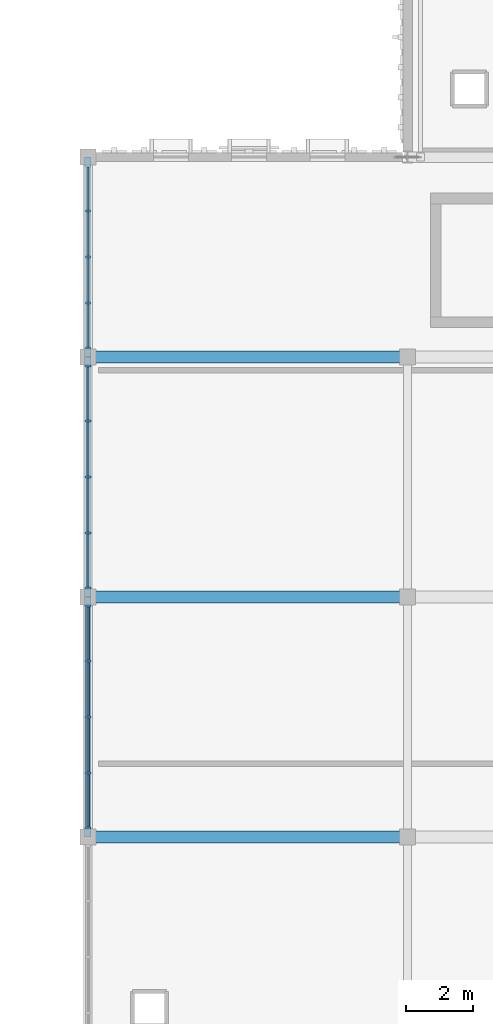
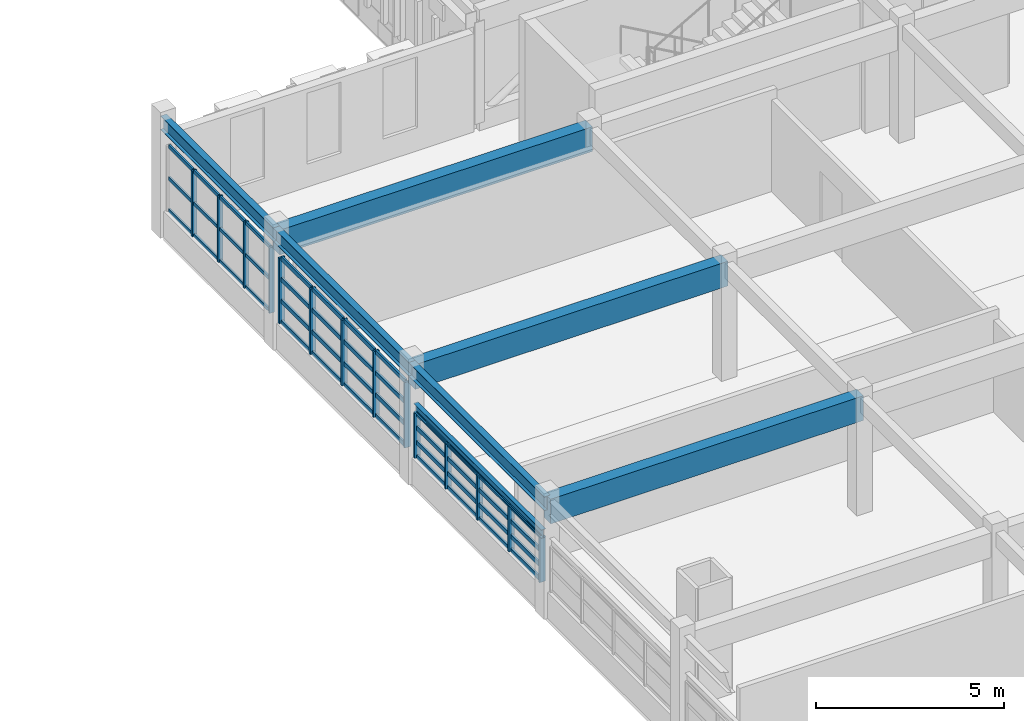
# One storey, part 12 of 79: 58 members, 7 beams, 3 elements without a shape of their own.
"""IFC4 building model written with IfcOpenShell, lengths in metres."""

from ifc_helpers import new_model, si_unit, direction, frame, origin, origin_2d, place, context, subcontext, project, spatial, rectangle, i_section, extrude, material, material_profile, profile_set, type_object, element, aggregate, save


model = new_model("IFC4")

# Units and contexts
model_context = context("Model", 3, precision=1e-05, world=origin(), true_north=direction((0.0, 1.0)))
body_context = subcontext(model_context, "Body", "Model", "MODEL_VIEW")
ifc_project = project(units=[si_unit("LENGTHUNIT", "METRE"), si_unit("AREAUNIT", "SQUARE_METRE"), si_unit("VOLUMEUNIT", "CUBIC_METRE"), si_unit("PLANEANGLEUNIT", "RADIAN"), si_unit("MASSUNIT", "GRAM", prefix="KILO")], contexts=[model_context])

# Site, building, storey
site_placement = place(None, origin())
site = spatial("IfcSite", under=ifc_project, at=site_placement, CompositionType="ELEMENT")
building_placement = place(site_placement, origin())
building = spatial("IfcBuilding", under=site, at=building_placement, Name="Nzembalo Square Collegiate School", CompositionType="ELEMENT")
storey_placement = place(building_placement, frame((0.0, 0.0, 9.52001953125)))
storey = spatial("IfcBuildingStorey", under=building, at=storey_placement, Name="L02", CompositionType="ELEMENT", Elevation=9.52001953125)

# Beams
ifc_material_1 = material(Name="Steel S355", Category="steel")
ifc_material_profile_1 = material_profile(ifc_material_1, i_section(OverallWidth=0.18994140625, OverallDepth=0.449951171875, WebThickness=0.009521484375, FlangeThickness=0.0146484375, at=origin_2d()), Name="IPE 450")
ifc_profile_set_1 = profile_set([ifc_material_profile_1], Name="Steel S355")
beam_type_1 = type_object("IfcBeamType", Name="B09", PredefinedType="BEAM", material=ifc_profile_set_1)
for number, where, z_axis, x_axis, name in (
    (1, (130.800048828125, 30.0, 3.56005859375), (0.0, 1.0, 0.0), (-1.0, 0.0, 0.0), "Beam B09 L02"),
    (2, (130.800048828125, 37.199951171875, 3.56005859375), (0.0, 1.0, 0.0), (-1.0, 0.0, 0.0), "Beam B09 L02"),
):
    element("IfcBeam", number, at=place(storey_placement, frame(where, z_axis=z_axis, x_axis=x_axis)), inside=storey, type_object=beam_type_1, Name=name, PredefinedType="BEAM", context=body_context, shape_type="SweptSolid", body=[
        extrude(i_section(OverallWidth=0.18994140625, OverallDepth=0.449951171875, WebThickness=0.009521484375, FlangeThickness=0.0146484375, at=origin_2d()), origin(), (0.0, 0.0, 1.0), 7.199951171875),
    ])
beam_1_placement = place(storey_placement, frame((130.800048828125, 44.39990234375, 3.56005859375), z_axis=(0.0, 1.0, 0.0), x_axis=(-1.0, 0.0, 0.0)))
element("IfcBeam", 3, at=beam_1_placement, inside=storey, type_object=beam_type_1, Name="Beam B09 L02", PredefinedType="BEAM", context=body_context, shape_type="SweptSolid", body=[
    extrude(i_section(OverallWidth=0.18994140625, OverallDepth=0.449951171875, WebThickness=0.009521484375, FlangeThickness=0.0146484375, at=origin_2d()), origin(), (0.0, 0.0, 1.0), 6.0),
])
ifc_material_2 = material(Name="Glulam GL32h", Category="wood")
ifc_material_profile_2 = material_profile(ifc_material_2, rectangle(XDim=0.360107421875, YDim=0.800048828125, at=origin_2d()), Name="GL32h 360x800")
ifc_profile_set_2 = profile_set([ifc_material_profile_2], Name="Glulam GL32h")
beam_type_2 = type_object("IfcBeamType", Name="B13", PredefinedType="BEAM", material=ifc_profile_set_2)
for number, where, z_axis, x_axis, name in (
    (4, (130.800048828125, 30.0, 3.385009765625), (1.0, 0.0, 0.0), (0.0, 1.0, 0.0), "Beam B13 L02"),
    (5, (130.800048828125, 37.199951171875, 3.385009765625), (1.0, 0.0, 0.0), (0.0, 1.0, 0.0), "Beam B13 L02"),
    (6, (130.800048828125, 44.39990234375, 3.385009765625), (1.0, 0.0, 0.0), (0.0, 1.0, 0.0), "Beam B13 L02"),
):
    element("IfcBeam", number, at=place(storey_placement, frame(where, z_axis=z_axis, x_axis=x_axis)), inside=storey, type_object=beam_type_2, Name=name, PredefinedType="BEAM", context=body_context, shape_type="SweptSolid", body=[
        extrude(rectangle(XDim=0.360107421875, YDim=0.800048828125, at=origin_2d()), origin(), (0.0, 0.0, 1.0), 9.599853515625),
    ])
ifc_material_3 = material(Name="Steel S355", Category="steel")
ifc_material_profile_3 = material_profile(ifc_material_3, i_section(OverallWidth=0.135009765625, OverallDepth=0.27001953125, WebThickness=0.006591796875, FlangeThickness=0.01025390625, at=origin_2d()), Name="IPE 270")
ifc_profile_set_3 = profile_set([ifc_material_profile_3], Name="Steel S355")
beam_type_3 = type_object("IfcBeamType", Name="LN02", PredefinedType="LINTEL", material=ifc_profile_set_3)
beam_2_placement = place(storey_placement, frame((130.800048828125, 30.199951171875, 2.445068359375), z_axis=(0.0, 1.0, 0.0), x_axis=(-1.0, 0.0, 0.0)))
element("IfcBeam", 7, at=beam_2_placement, inside=storey, type_object=beam_type_3, Name="Opening lintel LN02-10", PredefinedType="LINTEL", context=body_context, shape_type="SweptSolid", body=[
    extrude(i_section(OverallWidth=0.135009765625, OverallDepth=0.27001953125, WebThickness=0.006591796875, FlangeThickness=0.01025390625, at=origin_2d()), origin(), (0.0, 0.0, 1.0), 6.800048828125),
])

# Curtain wall, members
ifc_material_4 = material(Name="Aluminium 6060-T66", Category="aluminium")
curtain_wall_type_1 = type_object("IfcCurtainWallType", Name="CW-01", PredefinedType="USERDEFINED", material=ifc_material_4)
curtain_wall_1_placement = place(storey_placement, origin())
curtain_wall_1 = element("IfcCurtainWall", 8, at=curtain_wall_1_placement, inside=storey, type_object=curtain_wall_type_1, Name="Curtain wall CW-01 cw:L02:096", ObjectType="UNITISED", PredefinedType="USERDEFINED")
ifc_material_5 = material(Name="Aluminium 6060-T66", Category="aluminium")
ifc_material_profile_4 = material_profile(ifc_material_5, rectangle(XDim=0.06005859375, YDim=0.179931640625, at=origin_2d()), Name="ALU M60x180")
ifc_profile_set_4 = profile_set([ifc_material_profile_4], Name="Aluminium 6060-T66")
member_type_1 = type_object("IfcMemberType", Name="ML01", PredefinedType="MULLION", material=ifc_profile_set_4)
member_1_placement = place(storey_placement, frame((130.800048828125, 30.27197265625, 0.85009765625), z_axis=(0.0, 0.0, 1.0), x_axis=(0.0, 1.0, 0.0)))
member_1 = element("IfcMember", 9, at=member_1_placement, type_object=member_type_1, Name="ML01 mullion 1", PredefinedType="MULLION", context=body_context, shape_type="SweptSolid", body=[
    extrude(rectangle(XDim=0.06005859375, YDim=0.179931640625, at=origin_2d()), origin(), (0.0, 0.0, 1.0), 1.453857421875),
])
member_2_placement = place(storey_placement, frame((130.800048828125, 31.9208984375, 0.85009765625), z_axis=(0.0, 0.0, 1.0), x_axis=(0.0, 1.0, 0.0)))
member_2 = element("IfcMember", 10, at=member_2_placement, type_object=member_type_1, Name="ML01 mullion 2", PredefinedType="MULLION", context=body_context, shape_type="SweptSolid", body=[
    extrude(rectangle(XDim=0.06005859375, YDim=0.179931640625, at=origin_2d()), origin(), (0.0, 0.0, 1.0), 1.453857421875),
])
member_3_placement = place(storey_placement, frame((130.800048828125, 33.60009765625, 0.85009765625), z_axis=(0.0, 0.0, 1.0), x_axis=(0.0, 1.0, 0.0)))
member_3 = element("IfcMember", 11, at=member_3_placement, type_object=member_type_1, Name="ML01 mullion 3", PredefinedType="MULLION", context=body_context, shape_type="SweptSolid", body=[
    extrude(rectangle(XDim=0.06005859375, YDim=0.179931640625, at=origin_2d()), origin(), (0.0, 0.0, 1.0), 1.453857421875),
])
member_4_placement = place(storey_placement, frame((130.800048828125, 35.279052734375, 0.85009765625), z_axis=(0.0, 0.0, 1.0), x_axis=(0.0, 1.0, 0.0)))
member_4 = element("IfcMember", 12, at=member_4_placement, type_object=member_type_1, Name="ML01 mullion 4", PredefinedType="MULLION", context=body_context, shape_type="SweptSolid", body=[
    extrude(rectangle(XDim=0.06005859375, YDim=0.179931640625, at=origin_2d()), origin(), (0.0, 0.0, 1.0), 1.453857421875),
])
member_5_placement = place(storey_placement, frame((130.800048828125, 36.927978515625, 0.85009765625), z_axis=(0.0, 0.0, 1.0), x_axis=(0.0, 1.0, 0.0)))
member_5 = element("IfcMember", 13, at=member_5_placement, type_object=member_type_1, Name="ML01 mullion 5", PredefinedType="MULLION", context=body_context, shape_type="SweptSolid", body=[
    extrude(rectangle(XDim=0.06005859375, YDim=0.179931640625, at=origin_2d()), origin(), (0.0, 0.0, 1.0), 1.453857421875),
])

ifc_material_6 = material(Name="Aluminium 6060-T66", Category="aluminium")
curtain_wall_type_2 = type_object("IfcCurtainWallType", Name="CW-02", PredefinedType="USERDEFINED", material=ifc_material_6)
curtain_wall_2_placement = place(storey_placement, origin())
curtain_wall_2 = element("IfcCurtainWall", 14, at=curtain_wall_2_placement, inside=storey, type_object=curtain_wall_type_2, Name="Curtain wall CW-02 cw:L02:097", ObjectType="UNITISED", PredefinedType="USERDEFINED")
member_6_placement = place(storey_placement, frame((130.800048828125, 37.471923828125, 0.85009765625), z_axis=(0.0, 0.0, 1.0), x_axis=(0.0, 1.0, 0.0)))
member_6 = element("IfcMember", 15, at=member_6_placement, type_object=member_type_1, Name="ML01 mullion 1", PredefinedType="MULLION", context=body_context, shape_type="SweptSolid", body=[
    extrude(rectangle(XDim=0.06005859375, YDim=0.179931640625, at=origin_2d()), origin(), (0.0, 0.0, 1.0), 2.12890625),
])
member_7_placement = place(storey_placement, frame((130.800048828125, 39.12109375, 0.85009765625), z_axis=(0.0, 0.0, 1.0), x_axis=(0.0, 1.0, 0.0)))
member_7 = element("IfcMember", 16, at=member_7_placement, type_object=member_type_1, Name="ML01 mullion 2", PredefinedType="MULLION", context=body_context, shape_type="SweptSolid", body=[
    extrude(rectangle(XDim=0.06005859375, YDim=0.179931640625, at=origin_2d()), origin(), (0.0, 0.0, 1.0), 2.12890625),
])
member_8_placement = place(storey_placement, frame((130.800048828125, 40.800048828125, 0.85009765625), z_axis=(0.0, 0.0, 1.0), x_axis=(0.0, 1.0, 0.0)))
member_8 = element("IfcMember", 17, at=member_8_placement, type_object=member_type_1, Name="ML01 mullion 3", PredefinedType="MULLION", context=body_context, shape_type="SweptSolid", body=[
    extrude(rectangle(XDim=0.06005859375, YDim=0.179931640625, at=origin_2d()), origin(), (0.0, 0.0, 1.0), 2.12890625),
])
member_9_placement = place(storey_placement, frame((130.800048828125, 42.47900390625, 0.85009765625), z_axis=(0.0, 0.0, 1.0), x_axis=(0.0, 1.0, 0.0)))
member_9 = element("IfcMember", 18, at=member_9_placement, type_object=member_type_1, Name="ML01 mullion 4", PredefinedType="MULLION", context=body_context, shape_type="SweptSolid", body=[
    extrude(rectangle(XDim=0.06005859375, YDim=0.179931640625, at=origin_2d()), origin(), (0.0, 0.0, 1.0), 2.12890625),
])
member_10_placement = place(storey_placement, frame((130.800048828125, 44.1279296875, 0.85009765625), z_axis=(0.0, 0.0, 1.0), x_axis=(0.0, 1.0, 0.0)))
member_10 = element("IfcMember", 19, at=member_10_placement, type_object=member_type_1, Name="ML01 mullion 5", PredefinedType="MULLION", context=body_context, shape_type="SweptSolid", body=[
    extrude(rectangle(XDim=0.06005859375, YDim=0.179931640625, at=origin_2d()), origin(), (0.0, 0.0, 1.0), 2.12890625),
])

ifc_material_7 = material(Name="Aluminium 6060-T66", Category="aluminium")
curtain_wall_type_3 = type_object("IfcCurtainWallType", Name="CW-03", PredefinedType="USERDEFINED", material=ifc_material_7)
curtain_wall_3_placement = place(storey_placement, origin())
curtain_wall_3 = element("IfcCurtainWall", 20, at=curtain_wall_3_placement, inside=storey, type_object=curtain_wall_type_3, Name="Curtain wall CW-03 cw:L02:098", ObjectType="UNITISED", PredefinedType="USERDEFINED")
ifc_material_8 = material(Name="Aluminium 6060-T66", Category="aluminium")
ifc_material_profile_5 = material_profile(ifc_material_8, rectangle(XDim=0.06005859375, YDim=0.14990234375, at=origin_2d()), Name="ALU M60x150")
ifc_profile_set_5 = profile_set([ifc_material_profile_5], Name="Aluminium 6060-T66")
member_type_2 = type_object("IfcMemberType", Name="ML02", PredefinedType="MULLION", material=ifc_profile_set_5)
member_11_placement = place(storey_placement, frame((130.800048828125, 44.672119140625, 0.85009765625), z_axis=(0.0, 0.0, 1.0), x_axis=(0.0, 1.0, 0.0)))
member_11 = element("IfcMember", 21, at=member_11_placement, type_object=member_type_2, Name="ML02 mullion 1", PredefinedType="MULLION", context=body_context, shape_type="SweptSolid", body=[
    extrude(rectangle(XDim=0.06005859375, YDim=0.14990234375, at=origin_2d()), origin(), (0.0, 0.0, 1.0), 2.12890625),
])
member_12_placement = place(storey_placement, frame((130.800048828125, 46.02099609375, 0.85009765625), z_axis=(0.0, 0.0, 1.0), x_axis=(0.0, 1.0, 0.0)))
member_12 = element("IfcMember", 22, at=member_12_placement, type_object=member_type_2, Name="ML02 mullion 2", PredefinedType="MULLION", context=body_context, shape_type="SweptSolid", body=[
    extrude(rectangle(XDim=0.06005859375, YDim=0.14990234375, at=origin_2d()), origin(), (0.0, 0.0, 1.0), 2.12890625),
])
member_13_placement = place(storey_placement, frame((130.800048828125, 47.39990234375, 0.85009765625), z_axis=(0.0, 0.0, 1.0), x_axis=(0.0, 1.0, 0.0)))
member_13 = element("IfcMember", 23, at=member_13_placement, type_object=member_type_2, Name="ML02 mullion 3", PredefinedType="MULLION", context=body_context, shape_type="SweptSolid", body=[
    extrude(rectangle(XDim=0.06005859375, YDim=0.14990234375, at=origin_2d()), origin(), (0.0, 0.0, 1.0), 2.12890625),
])
member_14_placement = place(storey_placement, frame((130.800048828125, 48.779052734375, 0.85009765625), z_axis=(0.0, 0.0, 1.0), x_axis=(0.0, 1.0, 0.0)))
member_14 = element("IfcMember", 24, at=member_14_placement, type_object=member_type_2, Name="ML02 mullion 4", PredefinedType="MULLION", context=body_context, shape_type="SweptSolid", body=[
    extrude(rectangle(XDim=0.06005859375, YDim=0.14990234375, at=origin_2d()), origin(), (0.0, 0.0, 1.0), 2.12890625),
])

# Member
ifc_material_9 = material(Name="Aluminium 6060-T66", Category="aluminium")
ifc_material_profile_6 = material_profile(ifc_material_9, rectangle(XDim=0.06005859375, YDim=0.139892578125, at=origin_2d()), Name="ALU T60x140")
ifc_profile_set_6 = profile_set([ifc_material_profile_6], Name="Aluminium 6060-T66")
member_type_3 = type_object("IfcMemberType", Name="TR01", PredefinedType="USERDEFINED", material=ifc_profile_set_6)
member_15_placement = place(storey_placement, frame((130.800048828125, 30.302001953125, 0.8798828125), z_axis=(0.0, 1.0, 0.0), x_axis=(-1.0, 0.0, 0.0)))
member_15 = element("IfcMember", 25, at=member_15_placement, type_object=member_type_3, Name="TR01 transom 1-1", ObjectType="TRANSOM", PredefinedType="USERDEFINED", context=body_context, shape_type="SweptSolid", body=[
    extrude(rectangle(XDim=0.06005859375, YDim=0.139892578125, at=origin_2d()), origin(), (0.0, 0.0, 1.0), 1.589111328125),
])

member_16_placement = place(storey_placement, frame((130.800048828125, 31.950927734375, 0.8798828125), z_axis=(0.0, 1.0, 0.0), x_axis=(-1.0, 0.0, 0.0)))
member_16 = element("IfcMember", 26, at=member_16_placement, type_object=member_type_3, Name="TR01 transom 1-2", ObjectType="TRANSOM", PredefinedType="USERDEFINED", context=body_context, shape_type="SweptSolid", body=[
    extrude(rectangle(XDim=0.06005859375, YDim=0.139892578125, at=origin_2d()), origin(), (0.0, 0.0, 1.0), 1.619140625),
])

member_17_placement = place(storey_placement, frame((130.800048828125, 33.6298828125, 0.8798828125), z_axis=(0.0, 1.0, 0.0), x_axis=(-1.0, 0.0, 0.0)))
member_17 = element("IfcMember", 27, at=member_17_placement, type_object=member_type_3, Name="TR01 transom 1-3", ObjectType="TRANSOM", PredefinedType="USERDEFINED", context=body_context, shape_type="SweptSolid", body=[
    extrude(rectangle(XDim=0.06005859375, YDim=0.139892578125, at=origin_2d()), origin(), (0.0, 0.0, 1.0), 1.619140625),
])

member_18_placement = place(storey_placement, frame((130.800048828125, 35.30908203125, 0.8798828125), z_axis=(0.0, 1.0, 0.0), x_axis=(-1.0, 0.0, 0.0)))
member_18 = element("IfcMember", 28, at=member_18_placement, type_object=member_type_3, Name="TR01 transom 1-4", ObjectType="TRANSOM", PredefinedType="USERDEFINED", context=body_context, shape_type="SweptSolid", body=[
    extrude(rectangle(XDim=0.06005859375, YDim=0.139892578125, at=origin_2d()), origin(), (0.0, 0.0, 1.0), 1.5888671875),
])

member_19_placement = place(storey_placement, frame((130.800048828125, 30.302001953125, 1.334716796875), z_axis=(0.0, 1.0, 0.0), x_axis=(-1.0, 0.0, 0.0)))
member_19 = element("IfcMember", 29, at=member_19_placement, type_object=member_type_3, Name="TR01 transom 2-1", ObjectType="TRANSOM", PredefinedType="USERDEFINED", context=body_context, shape_type="SweptSolid", body=[
    extrude(rectangle(XDim=0.06005859375, YDim=0.139892578125, at=origin_2d()), origin(), (0.0, 0.0, 1.0), 1.589111328125),
])

member_20_placement = place(storey_placement, frame((130.800048828125, 31.950927734375, 1.334716796875), z_axis=(0.0, 1.0, 0.0), x_axis=(-1.0, 0.0, 0.0)))
member_20 = element("IfcMember", 30, at=member_20_placement, type_object=member_type_3, Name="TR01 transom 2-2", ObjectType="TRANSOM", PredefinedType="USERDEFINED", context=body_context, shape_type="SweptSolid", body=[
    extrude(rectangle(XDim=0.06005859375, YDim=0.139892578125, at=origin_2d()), origin(), (0.0, 0.0, 1.0), 1.619140625),
])

member_21_placement = place(storey_placement, frame((130.800048828125, 33.6298828125, 1.334716796875), z_axis=(0.0, 1.0, 0.0), x_axis=(-1.0, 0.0, 0.0)))
member_21 = element("IfcMember", 31, at=member_21_placement, type_object=member_type_3, Name="TR01 transom 2-3", ObjectType="TRANSOM", PredefinedType="USERDEFINED", context=body_context, shape_type="SweptSolid", body=[
    extrude(rectangle(XDim=0.06005859375, YDim=0.139892578125, at=origin_2d()), origin(), (0.0, 0.0, 1.0), 1.619140625),
])

member_22_placement = place(storey_placement, frame((130.800048828125, 35.30908203125, 1.334716796875), z_axis=(0.0, 1.0, 0.0), x_axis=(-1.0, 0.0, 0.0)))
member_22 = element("IfcMember", 32, at=member_22_placement, type_object=member_type_3, Name="TR01 transom 2-4", ObjectType="TRANSOM", PredefinedType="USERDEFINED", context=body_context, shape_type="SweptSolid", body=[
    extrude(rectangle(XDim=0.06005859375, YDim=0.139892578125, at=origin_2d()), origin(), (0.0, 0.0, 1.0), 1.5888671875),
])

member_23_placement = place(storey_placement, frame((130.800048828125, 30.302001953125, 1.8193359375), z_axis=(0.0, 1.0, 0.0), x_axis=(-1.0, 0.0, 0.0)))
member_23 = element("IfcMember", 33, at=member_23_placement, type_object=member_type_3, Name="TR01 transom 3-1", ObjectType="TRANSOM", PredefinedType="USERDEFINED", context=body_context, shape_type="SweptSolid", body=[
    extrude(rectangle(XDim=0.06005859375, YDim=0.139892578125, at=origin_2d()), origin(), (0.0, 0.0, 1.0), 1.589111328125),
])

member_24_placement = place(storey_placement, frame((130.800048828125, 31.950927734375, 1.8193359375), z_axis=(0.0, 1.0, 0.0), x_axis=(-1.0, 0.0, 0.0)))
member_24 = element("IfcMember", 34, at=member_24_placement, type_object=member_type_3, Name="TR01 transom 3-2", ObjectType="TRANSOM", PredefinedType="USERDEFINED", context=body_context, shape_type="SweptSolid", body=[
    extrude(rectangle(XDim=0.06005859375, YDim=0.139892578125, at=origin_2d()), origin(), (0.0, 0.0, 1.0), 1.619140625),
])

member_25_placement = place(storey_placement, frame((130.800048828125, 33.6298828125, 1.8193359375), z_axis=(0.0, 1.0, 0.0), x_axis=(-1.0, 0.0, 0.0)))
member_25 = element("IfcMember", 35, at=member_25_placement, type_object=member_type_3, Name="TR01 transom 3-3", ObjectType="TRANSOM", PredefinedType="USERDEFINED", context=body_context, shape_type="SweptSolid", body=[
    extrude(rectangle(XDim=0.06005859375, YDim=0.139892578125, at=origin_2d()), origin(), (0.0, 0.0, 1.0), 1.619140625),
])

member_26_placement = place(storey_placement, frame((130.800048828125, 35.30908203125, 1.8193359375), z_axis=(0.0, 1.0, 0.0), x_axis=(-1.0, 0.0, 0.0)))
member_26 = element("IfcMember", 36, at=member_26_placement, type_object=member_type_3, Name="TR01 transom 3-4", ObjectType="TRANSOM", PredefinedType="USERDEFINED", context=body_context, shape_type="SweptSolid", body=[
    extrude(rectangle(XDim=0.06005859375, YDim=0.139892578125, at=origin_2d()), origin(), (0.0, 0.0, 1.0), 1.5888671875),
])

member_27_placement = place(storey_placement, frame((130.800048828125, 30.302001953125, 2.27392578125), z_axis=(0.0, 1.0, 0.0), x_axis=(-1.0, 0.0, 0.0)))
member_27 = element("IfcMember", 37, at=member_27_placement, type_object=member_type_3, Name="TR01 transom 4-1", ObjectType="TRANSOM", PredefinedType="USERDEFINED", context=body_context, shape_type="SweptSolid", body=[
    extrude(rectangle(XDim=0.06005859375, YDim=0.139892578125, at=origin_2d()), origin(), (0.0, 0.0, 1.0), 1.589111328125),
])

member_28_placement = place(storey_placement, frame((130.800048828125, 31.950927734375, 2.27392578125), z_axis=(0.0, 1.0, 0.0), x_axis=(-1.0, 0.0, 0.0)))
member_28 = element("IfcMember", 38, at=member_28_placement, type_object=member_type_3, Name="TR01 transom 4-2", ObjectType="TRANSOM", PredefinedType="USERDEFINED", context=body_context, shape_type="SweptSolid", body=[
    extrude(rectangle(XDim=0.06005859375, YDim=0.139892578125, at=origin_2d()), origin(), (0.0, 0.0, 1.0), 1.619140625),
])

member_29_placement = place(storey_placement, frame((130.800048828125, 33.6298828125, 2.27392578125), z_axis=(0.0, 1.0, 0.0), x_axis=(-1.0, 0.0, 0.0)))
member_29 = element("IfcMember", 39, at=member_29_placement, type_object=member_type_3, Name="TR01 transom 4-3", ObjectType="TRANSOM", PredefinedType="USERDEFINED", context=body_context, shape_type="SweptSolid", body=[
    extrude(rectangle(XDim=0.06005859375, YDim=0.139892578125, at=origin_2d()), origin(), (0.0, 0.0, 1.0), 1.619140625),
])

member_30_placement = place(storey_placement, frame((130.800048828125, 35.30908203125, 2.27392578125), z_axis=(0.0, 1.0, 0.0), x_axis=(-1.0, 0.0, 0.0)))
member_30 = element("IfcMember", 40, at=member_30_placement, type_object=member_type_3, Name="TR01 transom 4-4", ObjectType="TRANSOM", PredefinedType="USERDEFINED", context=body_context, shape_type="SweptSolid", body=[
    extrude(rectangle(XDim=0.06005859375, YDim=0.139892578125, at=origin_2d()), origin(), (0.0, 0.0, 1.0), 1.5888671875),
])

aggregate(curtain_wall_1, [member_1, member_2, member_3, member_4, member_5, member_15, member_16, member_17, member_18, member_19, member_20, member_21, member_22, member_23, member_24, member_25, member_26, member_27, member_28, member_29, member_30])

member_31_placement = place(storey_placement, frame((130.800048828125, 37.501953125, 0.8798828125), z_axis=(0.0, 1.0, 0.0), x_axis=(-1.0, 0.0, 0.0)))
member_31 = element("IfcMember", 41, at=member_31_placement, type_object=member_type_3, Name="TR01 transom 1-1", ObjectType="TRANSOM", PredefinedType="USERDEFINED", context=body_context, shape_type="SweptSolid", body=[
    extrude(rectangle(XDim=0.06005859375, YDim=0.139892578125, at=origin_2d()), origin(), (0.0, 0.0, 1.0), 1.589111328125),
])

member_32_placement = place(storey_placement, frame((130.800048828125, 39.15087890625, 0.8798828125), z_axis=(0.0, 1.0, 0.0), x_axis=(-1.0, 0.0, 0.0)))
member_32 = element("IfcMember", 42, at=member_32_placement, type_object=member_type_3, Name="TR01 transom 1-2", ObjectType="TRANSOM", PredefinedType="USERDEFINED", context=body_context, shape_type="SweptSolid", body=[
    extrude(rectangle(XDim=0.06005859375, YDim=0.139892578125, at=origin_2d()), origin(), (0.0, 0.0, 1.0), 1.619140625),
])

member_33_placement = place(storey_placement, frame((130.800048828125, 40.830078125, 0.8798828125), z_axis=(0.0, 1.0, 0.0), x_axis=(-1.0, 0.0, 0.0)))
member_33 = element("IfcMember", 43, at=member_33_placement, type_object=member_type_3, Name="TR01 transom 1-3", ObjectType="TRANSOM", PredefinedType="USERDEFINED", context=body_context, shape_type="SweptSolid", body=[
    extrude(rectangle(XDim=0.06005859375, YDim=0.139892578125, at=origin_2d()), origin(), (0.0, 0.0, 1.0), 1.618896484375),
])

member_34_placement = place(storey_placement, frame((130.800048828125, 42.509033203125, 0.8798828125), z_axis=(0.0, 1.0, 0.0), x_axis=(-1.0, 0.0, 0.0)))
member_34 = element("IfcMember", 44, at=member_34_placement, type_object=member_type_3, Name="TR01 transom 1-4", ObjectType="TRANSOM", PredefinedType="USERDEFINED", context=body_context, shape_type="SweptSolid", body=[
    extrude(rectangle(XDim=0.06005859375, YDim=0.139892578125, at=origin_2d()), origin(), (0.0, 0.0, 1.0), 1.5888671875),
])

member_35_placement = place(storey_placement, frame((130.800048828125, 37.501953125, 1.5595703125), z_axis=(0.0, 1.0, 0.0), x_axis=(-1.0, 0.0, 0.0)))
member_35 = element("IfcMember", 45, at=member_35_placement, type_object=member_type_3, Name="TR01 transom 2-1", ObjectType="TRANSOM", PredefinedType="USERDEFINED", context=body_context, shape_type="SweptSolid", body=[
    extrude(rectangle(XDim=0.06005859375, YDim=0.139892578125, at=origin_2d()), origin(), (0.0, 0.0, 1.0), 1.589111328125),
])

member_36_placement = place(storey_placement, frame((130.800048828125, 39.15087890625, 1.5595703125), z_axis=(0.0, 1.0, 0.0), x_axis=(-1.0, 0.0, 0.0)))
member_36 = element("IfcMember", 46, at=member_36_placement, type_object=member_type_3, Name="TR01 transom 2-2", ObjectType="TRANSOM", PredefinedType="USERDEFINED", context=body_context, shape_type="SweptSolid", body=[
    extrude(rectangle(XDim=0.06005859375, YDim=0.139892578125, at=origin_2d()), origin(), (0.0, 0.0, 1.0), 1.619140625),
])

member_37_placement = place(storey_placement, frame((130.800048828125, 40.830078125, 1.5595703125), z_axis=(0.0, 1.0, 0.0), x_axis=(-1.0, 0.0, 0.0)))
member_37 = element("IfcMember", 47, at=member_37_placement, type_object=member_type_3, Name="TR01 transom 2-3", ObjectType="TRANSOM", PredefinedType="USERDEFINED", context=body_context, shape_type="SweptSolid", body=[
    extrude(rectangle(XDim=0.06005859375, YDim=0.139892578125, at=origin_2d()), origin(), (0.0, 0.0, 1.0), 1.618896484375),
])

member_38_placement = place(storey_placement, frame((130.800048828125, 42.509033203125, 1.5595703125), z_axis=(0.0, 1.0, 0.0), x_axis=(-1.0, 0.0, 0.0)))
member_38 = element("IfcMember", 48, at=member_38_placement, type_object=member_type_3, Name="TR01 transom 2-4", ObjectType="TRANSOM", PredefinedType="USERDEFINED", context=body_context, shape_type="SweptSolid", body=[
    extrude(rectangle(XDim=0.06005859375, YDim=0.139892578125, at=origin_2d()), origin(), (0.0, 0.0, 1.0), 1.5888671875),
])

member_39_placement = place(storey_placement, frame((130.800048828125, 37.501953125, 2.269287109375), z_axis=(0.0, 1.0, 0.0), x_axis=(-1.0, 0.0, 0.0)))
member_39 = element("IfcMember", 49, at=member_39_placement, type_object=member_type_3, Name="TR01 transom 3-1", ObjectType="TRANSOM", PredefinedType="USERDEFINED", context=body_context, shape_type="SweptSolid", body=[
    extrude(rectangle(XDim=0.06005859375, YDim=0.139892578125, at=origin_2d()), origin(), (0.0, 0.0, 1.0), 1.589111328125),
])

member_40_placement = place(storey_placement, frame((130.800048828125, 39.15087890625, 2.269287109375), z_axis=(0.0, 1.0, 0.0), x_axis=(-1.0, 0.0, 0.0)))
member_40 = element("IfcMember", 50, at=member_40_placement, type_object=member_type_3, Name="TR01 transom 3-2", ObjectType="TRANSOM", PredefinedType="USERDEFINED", context=body_context, shape_type="SweptSolid", body=[
    extrude(rectangle(XDim=0.06005859375, YDim=0.139892578125, at=origin_2d()), origin(), (0.0, 0.0, 1.0), 1.619140625),
])

member_41_placement = place(storey_placement, frame((130.800048828125, 40.830078125, 2.269287109375), z_axis=(0.0, 1.0, 0.0), x_axis=(-1.0, 0.0, 0.0)))
member_41 = element("IfcMember", 51, at=member_41_placement, type_object=member_type_3, Name="TR01 transom 3-3", ObjectType="TRANSOM", PredefinedType="USERDEFINED", context=body_context, shape_type="SweptSolid", body=[
    extrude(rectangle(XDim=0.06005859375, YDim=0.139892578125, at=origin_2d()), origin(), (0.0, 0.0, 1.0), 1.618896484375),
])

member_42_placement = place(storey_placement, frame((130.800048828125, 42.509033203125, 2.269287109375), z_axis=(0.0, 1.0, 0.0), x_axis=(-1.0, 0.0, 0.0)))
member_42 = element("IfcMember", 52, at=member_42_placement, type_object=member_type_3, Name="TR01 transom 3-4", ObjectType="TRANSOM", PredefinedType="USERDEFINED", context=body_context, shape_type="SweptSolid", body=[
    extrude(rectangle(XDim=0.06005859375, YDim=0.139892578125, at=origin_2d()), origin(), (0.0, 0.0, 1.0), 1.5888671875),
])

member_43_placement = place(storey_placement, frame((130.800048828125, 37.501953125, 2.948974609375), z_axis=(0.0, 1.0, 0.0), x_axis=(-1.0, 0.0, 0.0)))
member_43 = element("IfcMember", 53, at=member_43_placement, type_object=member_type_3, Name="TR01 transom 4-1", ObjectType="TRANSOM", PredefinedType="USERDEFINED", context=body_context, shape_type="SweptSolid", body=[
    extrude(rectangle(XDim=0.06005859375, YDim=0.139892578125, at=origin_2d()), origin(), (0.0, 0.0, 1.0), 1.589111328125),
])

member_44_placement = place(storey_placement, frame((130.800048828125, 39.15087890625, 2.948974609375), z_axis=(0.0, 1.0, 0.0), x_axis=(-1.0, 0.0, 0.0)))
member_44 = element("IfcMember", 54, at=member_44_placement, type_object=member_type_3, Name="TR01 transom 4-2", ObjectType="TRANSOM", PredefinedType="USERDEFINED", context=body_context, shape_type="SweptSolid", body=[
    extrude(rectangle(XDim=0.06005859375, YDim=0.139892578125, at=origin_2d()), origin(), (0.0, 0.0, 1.0), 1.619140625),
])

member_45_placement = place(storey_placement, frame((130.800048828125, 40.830078125, 2.948974609375), z_axis=(0.0, 1.0, 0.0), x_axis=(-1.0, 0.0, 0.0)))
member_45 = element("IfcMember", 55, at=member_45_placement, type_object=member_type_3, Name="TR01 transom 4-3", ObjectType="TRANSOM", PredefinedType="USERDEFINED", context=body_context, shape_type="SweptSolid", body=[
    extrude(rectangle(XDim=0.06005859375, YDim=0.139892578125, at=origin_2d()), origin(), (0.0, 0.0, 1.0), 1.618896484375),
])

member_46_placement = place(storey_placement, frame((130.800048828125, 42.509033203125, 2.948974609375), z_axis=(0.0, 1.0, 0.0), x_axis=(-1.0, 0.0, 0.0)))
member_46 = element("IfcMember", 56, at=member_46_placement, type_object=member_type_3, Name="TR01 transom 4-4", ObjectType="TRANSOM", PredefinedType="USERDEFINED", context=body_context, shape_type="SweptSolid", body=[
    extrude(rectangle(XDim=0.06005859375, YDim=0.139892578125, at=origin_2d()), origin(), (0.0, 0.0, 1.0), 1.5888671875),
])

aggregate(curtain_wall_2, [member_6, member_7, member_8, member_9, member_10, member_31, member_32, member_33, member_34, member_35, member_36, member_37, member_38, member_39, member_40, member_41, member_42, member_43, member_44, member_45, member_46])

ifc_material_10 = material(Name="Aluminium 6060-T66", Category="aluminium")
ifc_material_profile_7 = material_profile(ifc_material_10, rectangle(XDim=0.06005859375, YDim=0.110107421875, at=origin_2d()), Name="ALU T60x110")
ifc_profile_set_7 = profile_set([ifc_material_profile_7], Name="Aluminium 6060-T66")
member_type_4 = type_object("IfcMemberType", Name="TR02", PredefinedType="USERDEFINED", material=ifc_profile_set_7)
member_47_placement = place(storey_placement, frame((130.800048828125, 44.701904296875, 0.8798828125), z_axis=(0.0, 1.0, 0.0), x_axis=(-1.0, 0.0, 0.0)))
member_47 = element("IfcMember", 57, at=member_47_placement, type_object=member_type_4, Name="TR02 transom 1-1", ObjectType="TRANSOM", PredefinedType="USERDEFINED", context=body_context, shape_type="SweptSolid", body=[
    extrude(rectangle(XDim=0.06005859375, YDim=0.110107421875, at=origin_2d()), origin(), (0.0, 0.0, 1.0), 1.2890625),
])

member_48_placement = place(storey_placement, frame((130.800048828125, 46.051025390625, 0.8798828125), z_axis=(0.0, 1.0, 0.0), x_axis=(-1.0, 0.0, 0.0)))
member_48 = element("IfcMember", 58, at=member_48_placement, type_object=member_type_4, Name="TR02 transom 1-2", ObjectType="TRANSOM", PredefinedType="USERDEFINED", context=body_context, shape_type="SweptSolid", body=[
    extrude(rectangle(XDim=0.06005859375, YDim=0.110107421875, at=origin_2d()), origin(), (0.0, 0.0, 1.0), 1.319091796875),
])

member_49_placement = place(storey_placement, frame((130.800048828125, 47.429931640625, 0.8798828125), z_axis=(0.0, 1.0, 0.0), x_axis=(-1.0, 0.0, 0.0)))
member_49 = element("IfcMember", 59, at=member_49_placement, type_object=member_type_4, Name="TR02 transom 1-3", ObjectType="TRANSOM", PredefinedType="USERDEFINED", context=body_context, shape_type="SweptSolid", body=[
    extrude(rectangle(XDim=0.06005859375, YDim=0.110107421875, at=origin_2d()), origin(), (0.0, 0.0, 1.0), 1.319091796875),
])

member_50_placement = place(storey_placement, frame((130.800048828125, 48.80908203125, 0.8798828125), z_axis=(0.0, 1.0, 0.0), x_axis=(-1.0, 0.0, 0.0)))
member_50 = element("IfcMember", 60, at=member_50_placement, type_object=member_type_4, Name="TR02 transom 1-4", ObjectType="TRANSOM", PredefinedType="USERDEFINED", context=body_context, shape_type="SweptSolid", body=[
    extrude(rectangle(XDim=0.06005859375, YDim=0.110107421875, at=origin_2d()), origin(), (0.0, 0.0, 1.0), 1.288818359375),
])

member_51_placement = place(storey_placement, frame((130.800048828125, 44.701904296875, 1.91455078125), z_axis=(0.0, 1.0, 0.0), x_axis=(-1.0, 0.0, 0.0)))
member_51 = element("IfcMember", 61, at=member_51_placement, type_object=member_type_4, Name="TR02 transom 2-1", ObjectType="TRANSOM", PredefinedType="USERDEFINED", context=body_context, shape_type="SweptSolid", body=[
    extrude(rectangle(XDim=0.06005859375, YDim=0.110107421875, at=origin_2d()), origin(), (0.0, 0.0, 1.0), 1.2890625),
])

member_52_placement = place(storey_placement, frame((130.800048828125, 46.051025390625, 1.91455078125), z_axis=(0.0, 1.0, 0.0), x_axis=(-1.0, 0.0, 0.0)))
member_52 = element("IfcMember", 62, at=member_52_placement, type_object=member_type_4, Name="TR02 transom 2-2", ObjectType="TRANSOM", PredefinedType="USERDEFINED", context=body_context, shape_type="SweptSolid", body=[
    extrude(rectangle(XDim=0.06005859375, YDim=0.110107421875, at=origin_2d()), origin(), (0.0, 0.0, 1.0), 1.319091796875),
])

member_53_placement = place(storey_placement, frame((130.800048828125, 47.429931640625, 1.91455078125), z_axis=(0.0, 1.0, 0.0), x_axis=(-1.0, 0.0, 0.0)))
member_53 = element("IfcMember", 63, at=member_53_placement, type_object=member_type_4, Name="TR02 transom 2-3", ObjectType="TRANSOM", PredefinedType="USERDEFINED", context=body_context, shape_type="SweptSolid", body=[
    extrude(rectangle(XDim=0.06005859375, YDim=0.110107421875, at=origin_2d()), origin(), (0.0, 0.0, 1.0), 1.319091796875),
])

member_54_placement = place(storey_placement, frame((130.800048828125, 48.80908203125, 1.91455078125), z_axis=(0.0, 1.0, 0.0), x_axis=(-1.0, 0.0, 0.0)))
member_54 = element("IfcMember", 64, at=member_54_placement, type_object=member_type_4, Name="TR02 transom 2-4", ObjectType="TRANSOM", PredefinedType="USERDEFINED", context=body_context, shape_type="SweptSolid", body=[
    extrude(rectangle(XDim=0.06005859375, YDim=0.110107421875, at=origin_2d()), origin(), (0.0, 0.0, 1.0), 1.288818359375),
])

member_55_placement = place(storey_placement, frame((130.800048828125, 44.701904296875, 2.948974609375), z_axis=(0.0, 1.0, 0.0), x_axis=(-1.0, 0.0, 0.0)))
member_55 = element("IfcMember", 65, at=member_55_placement, type_object=member_type_4, Name="TR02 transom 3-1", ObjectType="TRANSOM", PredefinedType="USERDEFINED", context=body_context, shape_type="SweptSolid", body=[
    extrude(rectangle(XDim=0.06005859375, YDim=0.110107421875, at=origin_2d()), origin(), (0.0, 0.0, 1.0), 1.2890625),
])

member_56_placement = place(storey_placement, frame((130.800048828125, 46.051025390625, 2.948974609375), z_axis=(0.0, 1.0, 0.0), x_axis=(-1.0, 0.0, 0.0)))
member_56 = element("IfcMember", 66, at=member_56_placement, type_object=member_type_4, Name="TR02 transom 3-2", ObjectType="TRANSOM", PredefinedType="USERDEFINED", context=body_context, shape_type="SweptSolid", body=[
    extrude(rectangle(XDim=0.06005859375, YDim=0.110107421875, at=origin_2d()), origin(), (0.0, 0.0, 1.0), 1.319091796875),
])

member_57_placement = place(storey_placement, frame((130.800048828125, 47.429931640625, 2.948974609375), z_axis=(0.0, 1.0, 0.0), x_axis=(-1.0, 0.0, 0.0)))
member_57 = element("IfcMember", 67, at=member_57_placement, type_object=member_type_4, Name="TR02 transom 3-3", ObjectType="TRANSOM", PredefinedType="USERDEFINED", context=body_context, shape_type="SweptSolid", body=[
    extrude(rectangle(XDim=0.06005859375, YDim=0.110107421875, at=origin_2d()), origin(), (0.0, 0.0, 1.0), 1.319091796875),
])

member_58_placement = place(storey_placement, frame((130.800048828125, 48.80908203125, 2.948974609375), z_axis=(0.0, 1.0, 0.0), x_axis=(-1.0, 0.0, 0.0)))
member_58 = element("IfcMember", 68, at=member_58_placement, type_object=member_type_4, Name="TR02 transom 3-4", ObjectType="TRANSOM", PredefinedType="USERDEFINED", context=body_context, shape_type="SweptSolid", body=[
    extrude(rectangle(XDim=0.06005859375, YDim=0.110107421875, at=origin_2d()), origin(), (0.0, 0.0, 1.0), 1.288818359375),
])

aggregate(curtain_wall_3, [member_11, member_12, member_13, member_14, member_47, member_48, member_49, member_50, member_51, member_52, member_53, member_54, member_55, member_56, member_57, member_58])

save(model, "model.ifc")
